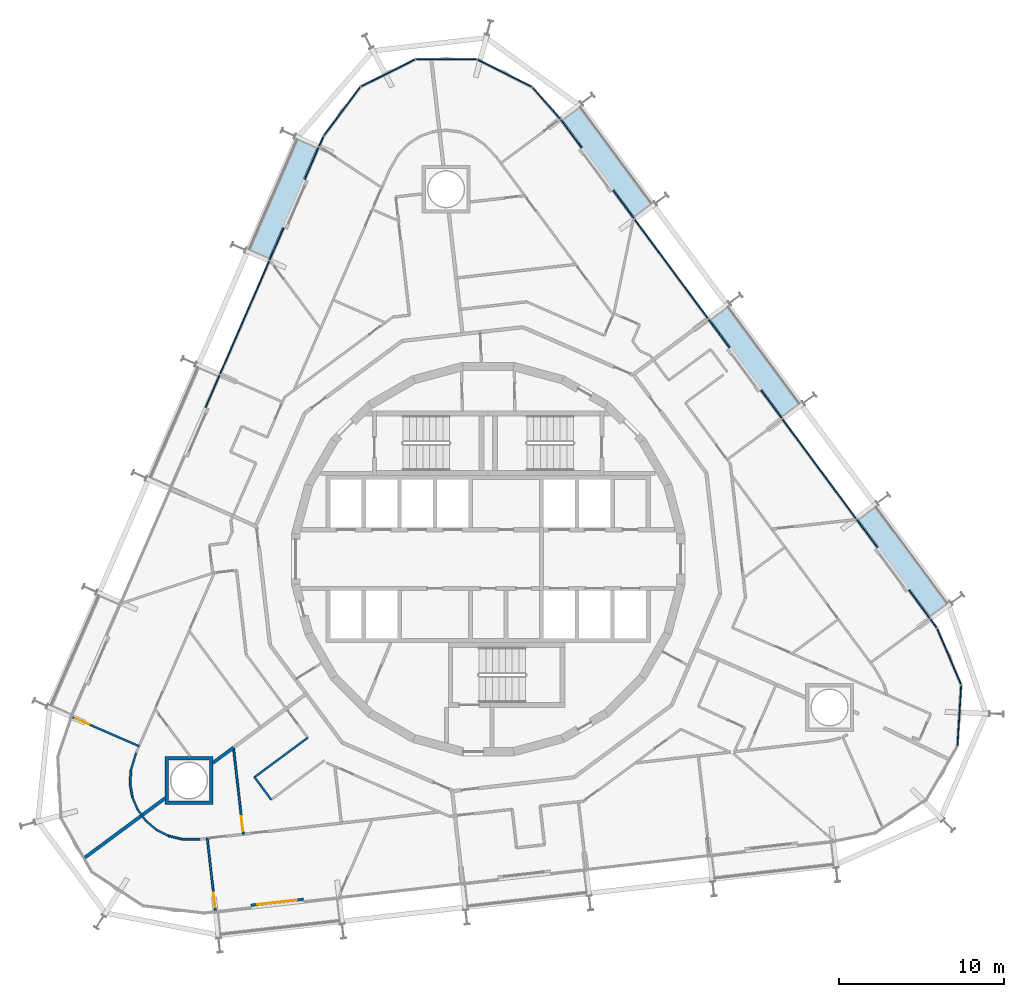
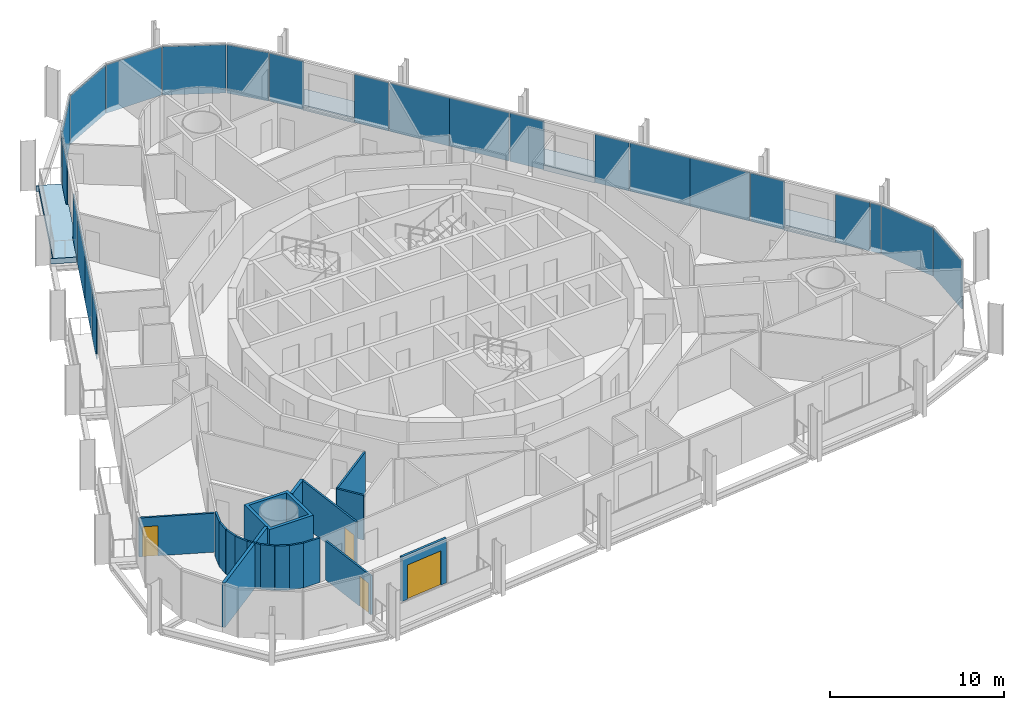
# One storey, part 13 of 22: 24 plates, 18 walls, 4 doors, 4 slabs, 4 openings, 4 elements without a shape of their own.
"""IFC4 building model written with IfcOpenShell, lengths in metres."""

from ifc_helpers import new_model, si_unit, direction, frame, frame_2d, origin, origin_2d, place, context, subcontext, project, spatial, polyline, rectangle, outline, extrude, material, layer, layer_set, type_object, element, fill, aggregate, save


model = new_model("IFC4")

# Units and contexts
model_context = context("Model", 3, precision=1e-05, world=origin(), true_north=direction((0.0, 1.0)))
body_context = subcontext(model_context, "Body", "Model", "MODEL_VIEW")
ifc_project = project(units=[si_unit("LENGTHUNIT", "METRE"), si_unit("AREAUNIT", "SQUARE_METRE"), si_unit("VOLUMEUNIT", "CUBIC_METRE"), si_unit("PLANEANGLEUNIT", "RADIAN"), si_unit("MASSUNIT", "GRAM", prefix="KILO")], contexts=[model_context])

# Site, building, storey
site_placement = place(None, origin())
site = spatial("IfcSite", under=ifc_project, at=site_placement, CompositionType="ELEMENT")
building_placement = place(site_placement, origin())
building = spatial("IfcBuilding", under=site, at=building_placement, Name="Spindle Arch Residences", CompositionType="ELEMENT")
storey_placement = place(building_placement, frame((0.0, 0.0, 80.199951171875)))
storey = spatial("IfcBuildingStorey", under=building, at=storey_placement, Name="L18", CompositionType="ELEMENT", Elevation=80.199951171875)

# Slabs
ifc_material_1 = material(Name="Concrete C40/50", Category="concrete")
ifc_layer_1 = layer(ifc_material_1, 0.3798828125)
ifc_layer_set_1 = layer_set([ifc_layer_1], Name="Balcony slab 380")
slab_type = type_object("IfcSlabType", Name="Balcony slab 380", PredefinedType="FLOOR", material=ifc_layer_set_1)
slab_1_placement = place(storey_placement, frame((0.0, 0.0, -0.3798828125)))
element("IfcSlab", 1, at=slab_1_placement, inside=storey, type_object=slab_type, Name="Balcony L18 bay 6", PredefinedType="FLOOR", context=body_context, shape_type="SweptSolid", body=[
    extrude(outline(polyline([(27.94287109375, -2.613525390625), (27.8984375, -2.55322265625), (27.77783203125, -2.642578125), (23.48388671875, 3.160400390625), (23.6044921875, 3.24951171875), (23.559814453125, 3.309814453125), (22.362060546875, 2.423583984375), (23.601806640625, 0.748046875), (23.473388671875, 0.65283203125), (25.376708984375, -1.91943359375), (25.50537109375, -1.82421875), (26.7451171875, -3.499755859375), (27.94287109375, -2.613525390625)])), origin(), (0.0, 0.0, 1.0), 0.3798828125),
])
slab_2_placement = place(storey_placement, frame((0.0, 0.0, -0.3798828125)))
element("IfcSlab", 2, at=slab_2_placement, inside=storey, type_object=slab_type, Name="Balcony L18 bay 8", PredefinedType="FLOOR", context=body_context, shape_type="SweptSolid", body=[
    extrude(outline(polyline([(18.998291015625, 9.474609375), (18.95361328125, 9.534912109375), (18.8330078125, 9.445556640625), (14.5390625, 15.24853515625), (14.65966796875, 15.337646484375), (14.614990234375, 15.39794921875), (13.417236328125, 14.51171875), (14.6572265625, 12.836181640625), (14.528564453125, 12.740966796875), (16.431884765625, 10.168701171875), (16.560546875, 10.263916015625), (17.800537109375, 8.588134765625), (18.998291015625, 9.474609375)])), origin(), (0.0, 0.0, 1.0), 0.3798828125),
])
slab_3_placement = place(storey_placement, frame((0.0, 0.0, -0.3798828125)))
element("IfcSlab", 3, at=slab_3_placement, inside=storey, type_object=slab_type, Name="Balcony L18 bay 10", PredefinedType="FLOOR", context=body_context, shape_type="SweptSolid", body=[
    extrude(outline(polyline([(10.053466796875, 21.562744140625), (10.0087890625, 21.623046875), (9.88818359375, 21.53369140625), (5.594482421875, 27.336669921875), (5.71484375, 27.42578125), (5.67041015625, 27.486083984375), (4.47265625, 26.599853515625), (5.71240234375, 24.92431640625), (5.583740234375, 24.8291015625), (7.4873046875, 22.2568359375), (7.615966796875, 22.351806640625), (8.855712890625, 20.67626953125), (10.053466796875, 21.562744140625)])), origin(), (0.0, 0.0, 1.0), 0.3798828125),
])
slab_4_placement = place(storey_placement, frame((0.0, 0.0, -0.3798828125)))
element("IfcSlab", 4, at=slab_4_placement, inside=storey, type_object=slab_type, Name="Balcony L18 bay 14", PredefinedType="FLOOR", context=body_context, shape_type="SweptSolid", body=[
    extrude(outline(polyline([(-11.7080078125, 25.506103515625), (-11.738037109375, 25.437255859375), (-11.600341796875, 25.37744140625), (-14.47900390625, 18.75732421875), (-14.616455078125, 18.817138671875), (-14.646240234375, 18.74853515625), (-13.280029296875, 18.154296875), (-12.44873046875, 20.06591796875), (-12.302001953125, 20.001953125), (-11.026123046875, 22.9365234375), (-11.1728515625, 23.00048828125), (-10.341552734375, 24.911865234375), (-11.7080078125, 25.506103515625)])), origin(), (0.0, 0.0, 1.0), 0.3798828125),
])

# Curtain wall, plates
ifc_material_2 = material(Name="Aluminium bronze unitised frame with tinted glass", Category="aluminium")
ifc_layer_2 = layer(ifc_material_2, 0.159912109375)
ifc_layer_set_2 = layer_set([ifc_layer_2], Name="CW-D corner wall on the fillet arcs")
curtain_wall_type_1 = type_object("IfcCurtainWallType", Name="CW-D corner wall on the fillet arcs", PredefinedType="NOTDEFINED", material=ifc_layer_set_2)
curtain_wall_1_placement = place(storey_placement, origin())
curtain_wall_1 = element("IfcCurtainWall", 5, at=curtain_wall_1_placement, inside=storey, type_object=curtain_wall_type_1, Name="CW-D L18 run 1", PredefinedType="NOTDEFINED")
ifc_material_3 = material(Name="Tinted double glazing over non-combustible spandrel zone with 0.55 mm stainless steel cavity fire stop (K0)", Category="steel")
ifc_layer_3 = layer(ifc_material_3, 0.070068359375)
ifc_layer_set_3 = layer_set([ifc_layer_3], Name="Unitised glass panel with spandrel zone and stainless cavity fire stop")
plate_type = type_object("IfcPlateType", Name="Unitised glass panel with spandrel zone and stainless cavity fire stop", PredefinedType="CURTAIN_PANEL", material=ifc_layer_set_3)
plate_1_placement = place(storey_placement, frame((28.4951171875, -9.457763671875, -0.3798828125), z_axis=(0.0, 0.0, 1.0), x_axis=(0.06104853612, 0.998134798631, 0.0)))
plate_1 = element("IfcPlate", 6, at=plate_1_placement, type_object=plate_type, Name="CW-D unit 03", PredefinedType="CURTAIN_PANEL", context=body_context, shape_type="SweptSolid", body=[
    extrude(rectangle(XDim=3.666748046875, YDim=0.070068359375, at=origin_2d()), origin(), (0.0, 0.0, 1.0), 3.3798828125),
])
plate_2_placement = place(storey_placement, frame((27.8759765625, -5.884765625, -0.3798828125), z_axis=(0.0, 0.0, 1.0), x_axis=(-0.393407112882, 0.919364369298, 0.0)))
plate_2 = element("IfcPlate", 7, at=plate_2_placement, type_object=plate_type, Name="CW-D unit 04", PredefinedType="CURTAIN_PANEL", context=body_context, shape_type="SweptSolid", body=[
    extrude(rectangle(XDim=3.666748046875, YDim=0.070068359375, at=origin_2d()), origin(), (0.0, 0.0, 1.0), 3.3798828125),
])
plate_3_placement = place(storey_placement, frame((26.93408203125, -3.8896484375, -0.3798828125), z_axis=(0.0, 0.0, 1.0), x_axis=(-0.594822786751, 0.803856860617, 0.0)))
plate_3 = element("IfcPlate", 8, at=plate_3_placement, type_object=plate_type, Name="CW-D unit 05", PredefinedType="CURTAIN_PANEL", context=body_context, shape_type="SweptSolid", body=[
    extrude(rectangle(XDim=0.6416015625, YDim=0.070068359375, at=origin_2d()), origin(), (0.0, 0.0, 1.0), 3.3798828125),
])
aggregate(curtain_wall_1, [plate_1, plate_2, plate_3])

ifc_material_4 = material(Name="Aluminium bronze unitised frame with tinted glass", Category="aluminium")
ifc_layer_4 = layer(ifc_material_4, 0.159912109375)
ifc_layer_set_4 = layer_set([ifc_layer_4], Name="CW-C typical residential unitised wall")
curtain_wall_type_2 = type_object("IfcCurtainWallType", Name="CW-C typical residential unitised wall", PredefinedType="NOTDEFINED", material=ifc_layer_set_4)
curtain_wall_2_placement = place(storey_placement, origin())
curtain_wall_2 = element("IfcCurtainWall", 9, at=curtain_wall_2_placement, inside=storey, type_object=curtain_wall_type_2, Name="CW-C L18 run 2", PredefinedType="NOTDEFINED")
plate_4_placement = place(storey_placement, frame((26.074462890625, -2.727783203125, -0.3798828125), z_axis=(0.0, 0.0, 1.0), x_axis=(-0.594822786751, 0.803856860617, 0.0)))
plate_4 = element("IfcPlate", 10, at=plate_4_placement, type_object=plate_type, Name="CW-C unit 05L", PredefinedType="CURTAIN_PANEL", context=body_context, shape_type="SweptSolid", body=[
    extrude(rectangle(XDim=2.12939453125, YDim=0.070068359375, at=origin_2d()), origin(), (0.0, 0.0, 1.0), 3.3798828125),
])
plate_5_placement = place(storey_placement, frame((22.904296875, 1.556396484375, -0.3798828125), z_axis=(0.0, 0.0, 1.0), x_axis=(-0.594822786751, 0.803856860617, 0.0)))
plate_5 = element("IfcPlate", 11, at=plate_5_placement, type_object=plate_type, Name="CW-C unit 05R", PredefinedType="CURTAIN_PANEL", context=body_context, shape_type="SweptSolid", body=[
    extrude(rectangle(XDim=2.12939453125, YDim=0.070068359375, at=origin_2d()), origin(), (0.0, 0.0, 1.0), 3.3798828125),
])
plate_6_placement = place(storey_placement, frame((21.126220703125, 3.95947265625, -0.3798828125), z_axis=(0.0, 0.0, 1.0), x_axis=(-0.594822786751, 0.803856860617, 0.0)))
plate_6 = element("IfcPlate", 12, at=plate_6_placement, type_object=plate_type, Name="CW-C unit 06A", PredefinedType="CURTAIN_PANEL", context=body_context, shape_type="SweptSolid", body=[
    extrude(rectangle(XDim=3.7294921875, YDim=0.070068359375, at=origin_2d()), origin(), (0.0, 0.0, 1.0), 3.3798828125),
])
plate_7_placement = place(storey_placement, frame((18.90771484375, 6.957275390625, -0.3798828125), z_axis=(0.0, 0.0, 1.0), x_axis=(-0.594822786751, 0.803856860617, 0.0)))
plate_7 = element("IfcPlate", 13, at=plate_7_placement, type_object=plate_type, Name="CW-C unit 06B", PredefinedType="CURTAIN_PANEL", context=body_context, shape_type="SweptSolid", body=[
    extrude(rectangle(XDim=3.7294921875, YDim=0.070068359375, at=origin_2d()), origin(), (0.0, 0.0, 1.0), 3.3798828125),
])
plate_8_placement = place(storey_placement, frame((17.129638671875, 9.3603515625, -0.3798828125), z_axis=(0.0, 0.0, 1.0), x_axis=(-0.594822786751, 0.803856860617, 0.0)))
plate_8 = element("IfcPlate", 14, at=plate_8_placement, type_object=plate_type, Name="CW-C unit 07L", PredefinedType="CURTAIN_PANEL", context=body_context, shape_type="SweptSolid", body=[
    extrude(rectangle(XDim=2.12939453125, YDim=0.070068359375, at=origin_2d()), origin(), (0.0, 0.0, 1.0), 3.3798828125),
])
plate_9_placement = place(storey_placement, frame((13.95947265625, 13.64453125, -0.3798828125), z_axis=(0.0, 0.0, 1.0), x_axis=(-0.594822786751, 0.803856860617, 0.0)))
plate_9 = element("IfcPlate", 15, at=plate_9_placement, type_object=plate_type, Name="CW-C unit 07R", PredefinedType="CURTAIN_PANEL", context=body_context, shape_type="SweptSolid", body=[
    extrude(rectangle(XDim=2.12939453125, YDim=0.070068359375, at=origin_2d()), origin(), (0.0, 0.0, 1.0), 3.3798828125),
])
plate_10_placement = place(storey_placement, frame((12.181396484375, 16.047607421875, -0.3798828125), z_axis=(0.0, 0.0, 1.0), x_axis=(-0.594822786751, 0.803856860617, 0.0)))
plate_10 = element("IfcPlate", 16, at=plate_10_placement, type_object=plate_type, Name="CW-C unit 08A", PredefinedType="CURTAIN_PANEL", context=body_context, shape_type="SweptSolid", body=[
    extrude(rectangle(XDim=3.7294921875, YDim=0.070068359375, at=origin_2d()), origin(), (0.0, 0.0, 1.0), 3.3798828125),
])
plate_11_placement = place(storey_placement, frame((9.963134765625, 19.04541015625, -0.3798828125), z_axis=(0.0, 0.0, 1.0), x_axis=(-0.594822786751, 0.803856860617, 0.0)))
plate_11 = element("IfcPlate", 17, at=plate_11_placement, type_object=plate_type, Name="CW-C unit 08B", PredefinedType="CURTAIN_PANEL", context=body_context, shape_type="SweptSolid", body=[
    extrude(rectangle(XDim=3.7294921875, YDim=0.070068359375, at=origin_2d()), origin(), (0.0, 0.0, 1.0), 3.3798828125),
])
plate_12_placement = place(storey_placement, frame((8.184814453125, 21.448486328125, -0.3798828125), z_axis=(0.0, 0.0, 1.0), x_axis=(-0.594822786751, 0.803856860617, 0.0)))
plate_12 = element("IfcPlate", 18, at=plate_12_placement, type_object=plate_type, Name="CW-C unit 09L", PredefinedType="CURTAIN_PANEL", context=body_context, shape_type="SweptSolid", body=[
    extrude(rectangle(XDim=2.12939453125, YDim=0.070068359375, at=origin_2d()), origin(), (0.0, 0.0, 1.0), 3.3798828125),
])
plate_13_placement = place(storey_placement, frame((5.014892578125, 25.732666015625, -0.3798828125), z_axis=(0.0, 0.0, 1.0), x_axis=(-0.594822786751, 0.803856860617, 0.0)))
plate_13 = element("IfcPlate", 19, at=plate_13_placement, type_object=plate_type, Name="CW-C unit 09R", PredefinedType="CURTAIN_PANEL", context=body_context, shape_type="SweptSolid", body=[
    extrude(rectangle(XDim=2.12939453125, YDim=0.070068359375, at=origin_2d()), origin(), (0.0, 0.0, 1.0), 3.3798828125),
])
aggregate(curtain_wall_2, [plate_4, plate_5, plate_6, plate_7, plate_8, plate_9, plate_10, plate_11, plate_12, plate_13])

curtain_wall_3_placement = place(storey_placement, origin())
curtain_wall_3 = element("IfcCurtainWall", 20, at=curtain_wall_3_placement, inside=storey, type_object=curtain_wall_type_1, Name="CW-D L18 run 3", PredefinedType="NOTDEFINED")
plate_14_placement = place(storey_placement, frame((3.513427734375, 27.57861328125, -0.3798828125), z_axis=(0.0, 0.0, 1.0), x_axis=(-0.660703891733, 0.750646632877, 0.0)))
plate_14 = element("IfcPlate", 21, at=plate_14_placement, type_object=plate_type, Name="CW-D unit 00", PredefinedType="CURTAIN_PANEL", context=body_context, shape_type="SweptSolid", body=[
    extrude(rectangle(XDim=2.51416015625, YDim=0.070068359375, at=origin_2d()), origin(), (0.0, 0.0, 1.0), 3.3798828125),
])
plate_15_placement = place(storey_placement, frame((1.000244140625, 29.385986328125, -0.3798828125), z_axis=(0.0, 0.0, 1.0), x_axis=(-0.892323355439, 0.451396753797, 0.0)))
plate_15 = element("IfcPlate", 22, at=plate_15_placement, type_object=plate_type, Name="CW-D unit 01", PredefinedType="CURTAIN_PANEL", context=body_context, shape_type="SweptSolid", body=[
    extrude(rectangle(XDim=3.666748046875, YDim=0.070068359375, at=origin_2d()), origin(), (0.0, 0.0, 1.0), 3.3798828125),
])
plate_16_placement = place(storey_placement, frame((-2.52587890625, 30.232421875, -0.3798828125), z_axis=(0.0, 0.0, 1.0), x_axis=(-0.999995769195, 0.002908881551, 0.0)))
plate_16 = element("IfcPlate", 23, at=plate_16_placement, type_object=plate_type, Name="CW-D unit 02", PredefinedType="CURTAIN_PANEL", context=body_context, shape_type="SweptSolid", body=[
    extrude(rectangle(XDim=3.666748046875, YDim=0.070068359375, at=origin_2d()), origin(), (0.0, 0.0, 1.0), 3.3798828125),
])
plate_17_placement = place(storey_placement, frame((-6.056884765625, 29.406494140625, -0.3798828125), z_axis=(0.0, 0.0, 1.0), x_axis=(-0.89493436175, -0.446197812813, 0.0)))
plate_17 = element("IfcPlate", 24, at=plate_17_placement, type_object=plate_type, Name="CW-D unit 03", PredefinedType="CURTAIN_PANEL", context=body_context, shape_type="SweptSolid", body=[
    extrude(rectangle(XDim=3.666748046875, YDim=0.070068359375, at=origin_2d()), origin(), (0.0, 0.0, 1.0), 3.3798828125),
])
plate_18_placement = place(storey_placement, frame((-8.841552734375, 27.08349609375, -0.3798828125), z_axis=(0.0, 0.0, 1.0), x_axis=(-0.599489340736, -0.800382739909, 0.0)))
plate_18 = element("IfcPlate", 25, at=plate_18_placement, type_object=plate_type, Name="CW-D unit 04", PredefinedType="CURTAIN_PANEL", context=body_context, shape_type="SweptSolid", body=[
    extrude(rectangle(XDim=3.666748046875, YDim=0.070068359375, at=origin_2d()), origin(), (0.0, 0.0, 1.0), 3.3798828125),
])
plate_19_placement = place(storey_placement, frame((-10.098388671875, 25.2705078125, -0.3798828125), z_axis=(0.0, 0.0, 1.0), x_axis=(-0.398749068925, -0.917060074385, 0.0)))
plate_19 = element("IfcPlate", 26, at=plate_19_placement, type_object=plate_type, Name="CW-D unit 05", PredefinedType="CURTAIN_PANEL", context=body_context, shape_type="SweptSolid", body=[
    extrude(rectangle(XDim=0.6416015625, YDim=0.070068359375, at=origin_2d()), origin(), (0.0, 0.0, 1.0), 3.3798828125),
])
aggregate(curtain_wall_3, [plate_14, plate_15, plate_16, plate_17, plate_18, plate_19])

curtain_wall_4_placement = place(storey_placement, origin())
curtain_wall_4 = element("IfcCurtainWall", 27, at=curtain_wall_4_placement, inside=storey, type_object=curtain_wall_type_2, Name="CW-C L18 run 4", PredefinedType="NOTDEFINED")
plate_20_placement = place(storey_placement, frame((-10.6748046875, 23.94482421875, -0.3798828125), z_axis=(0.0, 0.0, 1.0), x_axis=(-0.398749068925, -0.917060074385, 0.0)))
plate_20 = element("IfcPlate", 28, at=plate_20_placement, type_object=plate_type, Name="CW-C unit 13L", PredefinedType="CURTAIN_PANEL", context=body_context, shape_type="SweptSolid", body=[
    extrude(rectangle(XDim=2.12939453125, YDim=0.070068359375, at=origin_2d()), origin(), (0.0, 0.0, 1.0), 3.3798828125),
])
plate_21_placement = place(storey_placement, frame((-12.800048828125, 19.0576171875, -0.3798828125), z_axis=(0.0, 0.0, 1.0), x_axis=(-0.398749068925, -0.917060074385, 0.0)))
plate_21 = element("IfcPlate", 29, at=plate_21_placement, type_object=plate_type, Name="CW-C unit 13R", PredefinedType="CURTAIN_PANEL", context=body_context, shape_type="SweptSolid", body=[
    extrude(rectangle(XDim=2.12939453125, YDim=0.070068359375, at=origin_2d()), origin(), (0.0, 0.0, 1.0), 3.3798828125),
])
plate_22_placement = place(storey_placement, frame((-13.991943359375, 16.316162109375, -0.3798828125), z_axis=(0.0, 0.0, 1.0), x_axis=(-0.398749068925, -0.917060074385, 0.0)))
plate_22 = element("IfcPlate", 30, at=plate_22_placement, type_object=plate_type, Name="CW-C unit 14A", PredefinedType="CURTAIN_PANEL", context=body_context, shape_type="SweptSolid", body=[
    extrude(rectangle(XDim=3.7294921875, YDim=0.070068359375, at=origin_2d()), origin(), (0.0, 0.0, 1.0), 3.3798828125),
])
plate_23_placement = place(storey_placement, frame((-15.47900390625, 12.89599609375, -0.3798828125), z_axis=(0.0, 0.0, 1.0), x_axis=(-0.398749068925, -0.917060074385, 0.0)))
plate_23 = element("IfcPlate", 31, at=plate_23_placement, type_object=plate_type, Name="CW-C unit 14B", PredefinedType="CURTAIN_PANEL", context=body_context, shape_type="SweptSolid", body=[
    extrude(rectangle(XDim=3.7294921875, YDim=0.070068359375, at=origin_2d()), origin(), (0.0, 0.0, 1.0), 3.3798828125),
])
plate_24_placement = place(storey_placement, frame((-16.671142578125, 10.154541015625, -0.3798828125), z_axis=(0.0, 0.0, 1.0), x_axis=(-0.398749068925, -0.917060074385, 0.0)))
plate_24 = element("IfcPlate", 32, at=plate_24_placement, type_object=plate_type, Name="CW-C unit 15L", PredefinedType="CURTAIN_PANEL", context=body_context, shape_type="SweptSolid", body=[
    extrude(rectangle(XDim=2.12939453125, YDim=0.070068359375, at=origin_2d()), origin(), (0.0, 0.0, 1.0), 3.3798828125),
])
aggregate(curtain_wall_4, [plate_20, plate_21, plate_22, plate_23, plate_24])

# Walls
ifc_material_5 = material(Name="Plasterboard on steel studs", Category="steel")
ifc_layer_5 = layer(ifc_material_5, 0.1201171875)
ifc_layer_set_5 = layer_set([ifc_layer_5], Name="Flat partition 120")
wall_type_1 = type_object("IfcWallType", Name="Flat partition 120", PredefinedType="PARTITIONING", material=ifc_layer_set_5)
for number, where, z_axis, x_axis, name in (
    (33, (-20.702880859375, -15.834716796875, 0.0), (0.0, 0.0, 1.0), (-0.594755442796, 0.803906688158, 0.0), "Flat partition R2A1-W095"),
    (34, (-21.19580078125, -15.16845703125, 0.0), (0.0, 0.0, 1.0), (-0.393528213057, 0.919312539634, 0.0), "Flat partition R2A1-W096"),
):
    element("IfcWall", number, at=place(storey_placement, frame(where, z_axis=z_axis, x_axis=x_axis)), inside=storey, type_object=wall_type_1, Name=name, PredefinedType="PARTITIONING", context=body_context, shape_type="SweptSolid", body=[
        extrude(rectangle(XDim=0.828857421875, YDim=0.1201171875, at=frame_2d((0.41455078125, 0.0))), origin(), (0.0, 0.0, 1.0), 3.1201171875),
    ])
wall_1_placement = place(storey_placement, frame((-21.52197265625, -14.406494140625, 0.0), z_axis=(0.0, 0.0, 1.0), x_axis=(-0.170794347099, 0.985306698952, 0.0)))
element("IfcWall", 35, at=wall_1_placement, inside=storey, type_object=wall_type_1, Name="Flat partition R2A1-W097", PredefinedType="PARTITIONING", context=body_context, shape_type="SweptSolid", body=[
    extrude(rectangle(XDim=0.8291015625, YDim=0.1201171875, at=frame_2d((0.41455078125, 0.0))), origin(), (0.0, 0.0, 1.0), 3.1201171875),
])
wall_2_placement = place(storey_placement, frame((-21.66357421875, -13.589599609375, 0.0), z_axis=(0.0, 0.0, 1.0), x_axis=(0.061277779288, 0.998120751095, 0.0)))
element("IfcWall", 36, at=wall_2_placement, inside=storey, type_object=wall_type_1, Name="Flat partition R2A1-W098", PredefinedType="PARTITIONING", context=body_context, shape_type="SweptSolid", body=[
    extrude(rectangle(XDim=0.82861328125, YDim=0.1201171875, at=frame_2d((0.414306640625, 0.0))), origin(), (0.0, 0.0, 1.0), 3.1201171875),
])
wall_3_placement = place(storey_placement, frame((-21.61279296875, -12.762451171875, 0.0), z_axis=(0.0, 0.0, 1.0), x_axis=(0.289552239308, 0.95716221233, 0.0)))
element("IfcWall", 37, at=wall_3_placement, inside=storey, type_object=wall_type_1, Name="Flat partition R2A1-W099", PredefinedType="PARTITIONING", context=body_context, shape_type="SweptSolid", body=[
    extrude(rectangle(XDim=1.0869140625, YDim=0.1201171875, at=frame_2d((0.54345703125, 0.0))), origin(), (0.0, 0.0, 1.0), 3.1201171875),
])
wall_4_placement = place(storey_placement, frame((-10.913818359375, -10.804443359375, 0.0), z_axis=(0.0, 0.0, 1.0), x_axis=(-0.803864616889, -0.594812304609, 0.0)))
element("IfcWall", 38, at=wall_4_placement, inside=storey, type_object=wall_type_1, Name="Flat partition R2A1-W100", PredefinedType="PARTITIONING", context=body_context, shape_type="SweptSolid", body=[
    extrude(rectangle(XDim=4.008056640625, YDim=0.1201171875, at=frame_2d((2.00390625, 0.0))), origin(), (0.0, 0.0, 1.0), 3.1201171875),
])
wall_5_placement = place(storey_placement, frame((-14.1357421875, -13.1884765625, 0.0), z_axis=(0.0, 0.0, 1.0), x_axis=(0.594863421241, -0.803826791087, 0.0)))
element("IfcWall", 39, at=wall_5_placement, inside=storey, type_object=wall_type_1, Name="Flat partition R2A1-W101", PredefinedType="PARTITIONING", context=body_context, shape_type="SweptSolid", body=[
    extrude(rectangle(XDim=1.699951171875, YDim=0.1201171875, at=frame_2d((0.85009765625, 0.0))), origin(), (0.0, 0.0, 1.0), 3.1201171875),
])
for number, where, z_axis, x_axis, name in (
    (40, (-20.702880859375, -15.834716796875, 0.0), (0.0, 0.0, 1.0), (0.764223440539, -0.644951574097, 0.0), "Flat partition R2A1-W105"),
    (41, (-20.0693359375, -16.369384765625, 0.0), (0.0, 0.0, 1.0), (0.89229682893, -0.451449187706, 0.0), "Flat partition R2A1-W106"),
):
    element("IfcWall", number, at=place(storey_placement, frame(where, z_axis=z_axis, x_axis=x_axis)), inside=storey, type_object=wall_type_1, Name=name, PredefinedType="PARTITIONING", context=body_context, shape_type="SweptSolid", body=[
        extrude(rectangle(XDim=0.8291015625, YDim=0.1201171875, at=frame_2d((0.41455078125, 0.0))), origin(), (0.0, 0.0, 1.0), 3.1201171875),
    ])
wall_6_placement = place(storey_placement, frame((-19.32958984375, -16.74365234375, 0.0), z_axis=(0.0, 0.0, 1.0), x_axis=(0.972403343288, -0.23330610357, 0.0)))
element("IfcWall", 42, at=wall_6_placement, inside=storey, type_object=wall_type_1, Name="Flat partition R2A1-W107", PredefinedType="PARTITIONING", context=body_context, shape_type="SweptSolid", body=[
    extrude(rectangle(XDim=0.828857421875, YDim=0.1201171875, at=frame_2d((0.41455078125, 0.0))), origin(), (0.0, 0.0, 1.0), 3.1201171875),
])
wall_7_placement = place(storey_placement, frame((-18.523681640625, -16.93701171875, 0.0), z_axis=(0.0, 0.0, 1.0), x_axis=(0.999995736722, -0.00292002349, 0.0)))
element("IfcWall", 43, at=wall_7_placement, inside=storey, type_object=wall_type_1, Name="Flat partition R2A1-W108", PredefinedType="PARTITIONING", context=body_context, shape_type="SweptSolid", body=[
    extrude(rectangle(XDim=1.0869140625, YDim=0.1201171875, at=frame_2d((0.54345703125, 0.0))), origin(), (0.0, 0.0, 1.0), 3.1201171875),
])

# Wall, opening, door
wall_8_placement = place(storey_placement, frame((-14.81298828125, -16.641357421875, 0.0), z_axis=(0.0, 0.0, 1.0), x_axis=(-0.113210971478, 0.993570971767, 0.0)))
wall_8 = element("IfcWall", 44, at=wall_8_placement, inside=storey, type_object=wall_type_1, Name="Flat partition R2A1-W110", PredefinedType="PARTITIONING", context=body_context, shape_type="SweptSolid", body=[
    extrude(rectangle(XDim=5.272705078125, YDim=0.1201171875, at=frame_2d((2.63623046875, 0.0))), origin(), (0.0, 0.0, 1.0), 3.1201171875),
])
opening_1_placement = place(wall_8_placement, frame((0.199951171875, 0.0, 0.0)))
opening_1 = element("IfcOpeningElement", 45, at=opening_1_placement, cuts=wall_8, Name="Opening R2A1-ID24", PredefinedType="OPENING", context=body_context, shape_type="SweptSolid", body=[
    extrude(rectangle(XDim=0.89990234375, YDim=2.10009765625, at=frame_2d((0.449951171875, 1.050048828125))), frame((0.0, 0.070068359375, 0.0), z_axis=(0.0, -1.0, 0.0), x_axis=(1.0, 0.0, 0.0)), (0.0, 0.0, 1.0), 0.14013671875),
])
ifc_material_6 = material(Name="Timber door set", Category="wood")
door_type_1 = type_object("IfcDoorType", Name="Room door 900x2100", OperationType="NOTDEFINED", PredefinedType="DOOR", material=ifc_material_6)
door_1_placement = place(opening_1_placement, origin())
door_1 = element("IfcDoor", 46, at=door_1_placement, inside=storey, type_object=door_type_1, Name="Room door R2A1-ID24", OperationType="SINGLE_SWING_LEFT", OverallHeight=2.10009765625, OverallWidth=0.89990234375, PredefinedType="DOOR", context=body_context, shape_type="SweptSolid", body=[
    extrude(rectangle(XDim=0.89990234375, YDim=2.10009765625, at=frame_2d((0.449951171875, 1.050048828125))), frame((0.0, 0.02490234375, 0.0), z_axis=(0.0, -1.0, 0.0), x_axis=(1.0, 0.0, 0.0)), (0.0, 0.0, 1.0), 0.050048828125),
])
fill(opening_1, door_1)

ifc_material_7 = material(Name="Plasterboard on steel studs", Category="steel")
ifc_layer_6 = layer(ifc_material_7, 0.1201171875)
ifc_layer_set_6 = layer_set([ifc_layer_6], Name="Flat partition 120 under beam 2730")
wall_type_2 = type_object("IfcWallType", Name="Flat partition 120 under beam 2730", PredefinedType="PARTITIONING", material=ifc_layer_set_6)
wall_9_placement = place(storey_placement, frame((-25.155517578125, -9.55908203125, 0.0), z_axis=(0.0, 0.0, 1.0), x_axis=(0.917042707292, -0.398789008127, 0.0)))
wall_9 = element("IfcWall", 47, at=wall_9_placement, inside=storey, type_object=wall_type_2, Name="Flat partition R2A1-W092", PredefinedType="PARTITIONING", context=body_context, shape_type="SweptSolid", body=[
    extrude(rectangle(XDim=4.39990234375, YDim=0.1201171875, at=frame_2d((2.199951171875, 0.0))), origin(), (0.0, 0.0, 1.0), 2.72998046875),
])
opening_2_placement = place(wall_9_placement, frame((0.199951171875, 0.0, 0.0)))
opening_2 = element("IfcOpeningElement", 48, at=opening_2_placement, cuts=wall_9, Name="Opening R2A1-ID22", PredefinedType="OPENING", context=body_context, shape_type="SweptSolid", body=[
    extrude(rectangle(XDim=0.89990234375, YDim=2.10009765625, at=frame_2d((0.449951171875, 1.050048828125))), frame((0.0, 0.070068359375, 0.0), z_axis=(0.0, -1.0, 0.0), x_axis=(1.0, 0.0, 0.0)), (0.0, 0.0, 1.0), 0.14013671875),
])
door_2_placement = place(opening_2_placement, origin())
door_2 = element("IfcDoor", 49, at=door_2_placement, inside=storey, type_object=door_type_1, Name="Room door R2A1-ID22", OperationType="SINGLE_SWING_RIGHT", OverallHeight=2.10009765625, OverallWidth=0.89990234375, PredefinedType="DOOR", context=body_context, shape_type="SweptSolid", body=[
    extrude(rectangle(XDim=0.89990234375, YDim=2.10009765625, at=frame_2d((0.449951171875, 1.050048828125))), frame((0.0, 0.02490234375, 0.0), z_axis=(0.0, -1.0, 0.0), x_axis=(1.0, 0.0, 0.0)), (0.0, 0.0, 1.0), 0.050048828125),
])
fill(opening_2, door_2)

wall_10_placement = place(storey_placement, frame((-16.49609375, -21.26171875, 0.0), z_axis=(0.0, 0.0, 1.0), x_axis=(-0.1132445713, 0.993567142709, 0.0)))
wall_10 = element("IfcWall", 50, at=wall_10_placement, inside=storey, type_object=wall_type_2, Name="Flat partition R2A1-W111", PredefinedType="PARTITIONING", context=body_context, shape_type="SweptSolid", body=[
    extrude(rectangle(XDim=4.400146484375, YDim=0.1201171875, at=frame_2d((2.2001953125, 0.0))), origin(), (0.0, 0.0, 1.0), 2.72998046875),
])
opening_3_placement = place(wall_10_placement, frame((0.199951171875, 0.0, 0.0)))
opening_3 = element("IfcOpeningElement", 51, at=opening_3_placement, cuts=wall_10, Name="Opening R2A1-ID26", PredefinedType="OPENING", context=body_context, shape_type="SweptSolid", body=[
    extrude(rectangle(XDim=0.89990234375, YDim=2.10009765625, at=frame_2d((0.449951171875, 1.050048828125))), frame((0.0, 0.070068359375, 0.0), z_axis=(0.0, -1.0, 0.0), x_axis=(1.0, 0.0, 0.0)), (0.0, 0.0, 1.0), 0.14013671875),
])
door_3_placement = place(opening_3_placement, origin())
door_3 = element("IfcDoor", 52, at=door_3_placement, inside=storey, type_object=door_type_1, Name="Room door R2A1-ID26", OperationType="SINGLE_SWING_LEFT", OverallHeight=2.10009765625, OverallWidth=0.89990234375, PredefinedType="DOOR", context=body_context, shape_type="SweptSolid", body=[
    extrude(rectangle(XDim=0.89990234375, YDim=2.10009765625, at=frame_2d((0.449951171875, 1.050048828125))), frame((0.0, 0.02490234375, 0.0), z_axis=(0.0, -1.0, 0.0), x_axis=(1.0, 0.0, 0.0)), (0.0, 0.0, 1.0), 0.050048828125),
])
fill(opening_3, door_3)

# Walls
ifc_material_8 = material(Name="Calcium silicate block, plastered")
ifc_layer_7 = layer(ifc_material_8, 0.199951171875)
ifc_layer_set_7 = layer_set([ifc_layer_7], Name="Flat party wall 200")
wall_type_3 = type_object("IfcWallType", Name="Flat party wall 200", PredefinedType="STANDARD", material=ifc_layer_set_7)
wall_11_placement = place(storey_placement, frame((-16.64892578125, -12.319580078125, 0.0), z_axis=(0.0, 0.0, 1.0), x_axis=(0.803804030903, 0.594894175383, 0.0)))
element("IfcWall", 53, at=wall_11_placement, inside=storey, type_object=wall_type_3, Name="Flat party wall R2A1-W025", PredefinedType="STANDARD", context=body_context, shape_type="SweptSolid", body=[
    extrude(rectangle(XDim=1.54150390625, YDim=0.199951171875, at=frame_2d((0.770751953125, 0.0))), origin(), (0.0, 0.0, 1.0), 3.1201171875),
])
wall_12_placement = place(storey_placement, frame((-24.486083984375, -18.118896484375, 0.0), z_axis=(0.0, 0.0, 1.0), x_axis=(0.80384227933, 0.594842491726, 0.0)))
element("IfcWall", 54, at=wall_12_placement, inside=storey, type_object=wall_type_3, Name="Flat party wall R2A1-W026", PredefinedType="STANDARD", context=body_context, shape_type="SweptSolid", body=[
    extrude(rectangle(XDim=6.14208984375, YDim=0.199951171875, at=frame_2d((3.071044921875, 0.0))), origin(), (0.0, 0.0, 1.0), 3.1201171875),
])

# Wall, opening, door
ifc_material_9 = material(Name="Non-combustible mineral wool insulated aluminium faced external wall (K0)", Category="aluminium")
ifc_layer_8 = layer(ifc_material_9, 0.159912109375)
ifc_layer_set_8 = layer_set([ifc_layer_8], Name="Insulated external wall panel 160")
wall_type_4 = type_object("IfcWallType", Name="Insulated external wall panel 160", PredefinedType="STANDARD", material=ifc_layer_set_8)
wall_13_placement = place(storey_placement, frame((-14.359619140625, -20.937744140625, 0.0), z_axis=(0.0, 0.0, 1.0), x_axis=(0.993569019005, 0.11322810814, 0.0)))
wall_13 = element("IfcWall", 55, at=wall_13_placement, inside=storey, type_object=wall_type_4, Name="External wall L18 bay 22", PredefinedType="STANDARD", context=body_context, shape_type="SweptSolid", body=[
    extrude(rectangle(XDim=3.19970703125, YDim=0.159912109375, at=frame_2d((1.599853515625, 0.0))), origin(), (0.0, 0.0, 1.0), 3.1201171875),
])
opening_4_placement = place(wall_13_placement, frame((0.39990234375, 0.0, 0.0)))
opening_4 = element("IfcOpeningElement", 56, at=opening_4_placement, cuts=wall_13, Name="Opening BD22", PredefinedType="OPENING", context=body_context, shape_type="SweptSolid", body=[
    extrude(rectangle(XDim=2.39990234375, YDim=2.39990234375, at=frame_2d((1.199951171875, 1.199951171875))), frame((0.0, 0.08984375, 0.0), z_axis=(0.0, -1.0, 0.0), x_axis=(1.0, 0.0, 0.0)), (0.0, 0.0, 1.0), 0.179931640625),
])
ifc_material_10 = material(Name="Bronze aluminium frame, tinted double glazing", Category="aluminium")
door_type_2 = type_object("IfcDoorType", Name="Sliding glazed balcony door 2400x2400", OperationType="DOUBLE_DOOR_SLIDING", PredefinedType="DOOR", material=ifc_material_10)
door_4_placement = place(opening_4_placement, origin())
door_4 = element("IfcDoor", 57, at=door_4_placement, inside=storey, type_object=door_type_2, Name="Balcony door BD22", OperationType="DOUBLE_DOOR_SLIDING", OverallHeight=2.39990234375, OverallWidth=2.39990234375, PredefinedType="DOOR", context=body_context, shape_type="SweptSolid", body=[
    extrude(rectangle(XDim=2.39990234375, YDim=2.39990234375, at=frame_2d((1.199951171875, 1.199951171875))), frame((0.0, 0.02490234375, 0.0), z_axis=(0.0, -1.0, 0.0), x_axis=(1.0, 0.0, 0.0)), (0.0, 0.0, 1.0), 0.050048828125),
])
fill(opening_4, door_4)

# Wall
ifc_material_11 = material(Name="Calcium silicate block, plastered")
ifc_layer_9 = layer(ifc_material_11, 0.199951171875)
ifc_layer_set_9 = layer_set([ifc_layer_9], Name="Mega-column casing wall 200")
wall_type_5 = type_object("IfcWallType", Name="Mega-column casing wall 200", PredefinedType="STANDARD", material=ifc_layer_set_9)
wall_14_placement = place(storey_placement, origin())
element("IfcWall", 58, at=wall_14_placement, inside=storey, type_object=wall_type_5, Name="Mega-column casing wall R2A1-WC02", PredefinedType="STANDARD", context=body_context, shape_type="SweptSolid", body=[
    extrude(outline(polyline([(-16.64892578125, -11.9423828125), (-16.64892578125, -14.842529296875), (-19.548828125, -14.842529296875), (-19.548828125, -11.9423828125), (-16.64892578125, -11.9423828125)]), holes=[polyline([(-19.348876953125, -14.642578125), (-16.848876953125, -14.642578125), (-16.848876953125, -12.142578125), (-19.348876953125, -12.142578125), (-19.348876953125, -14.642578125)])]), origin(), (0.0, 0.0, 1.0), 3.1201171875),
])

save(model, "model.ifc")
